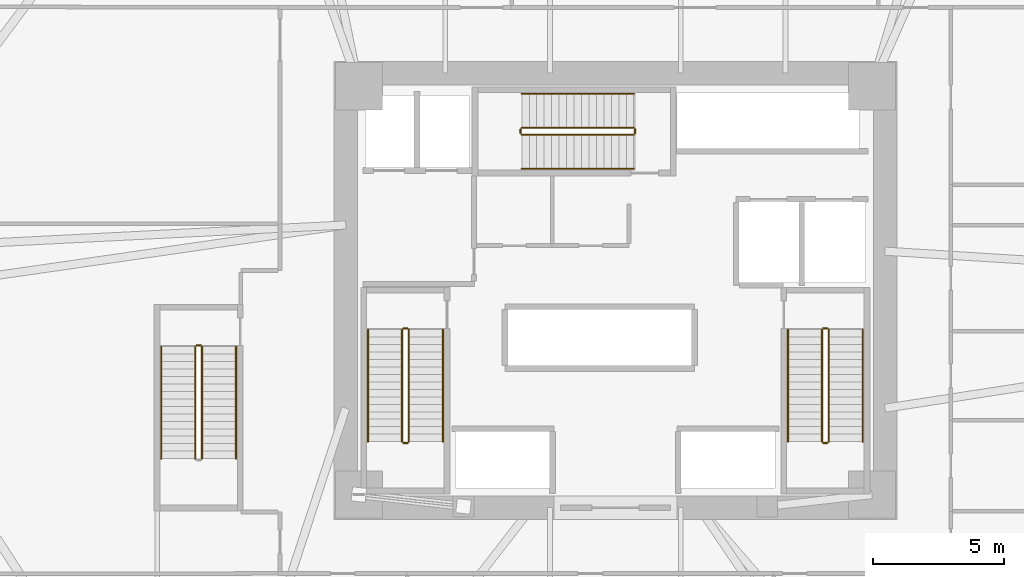
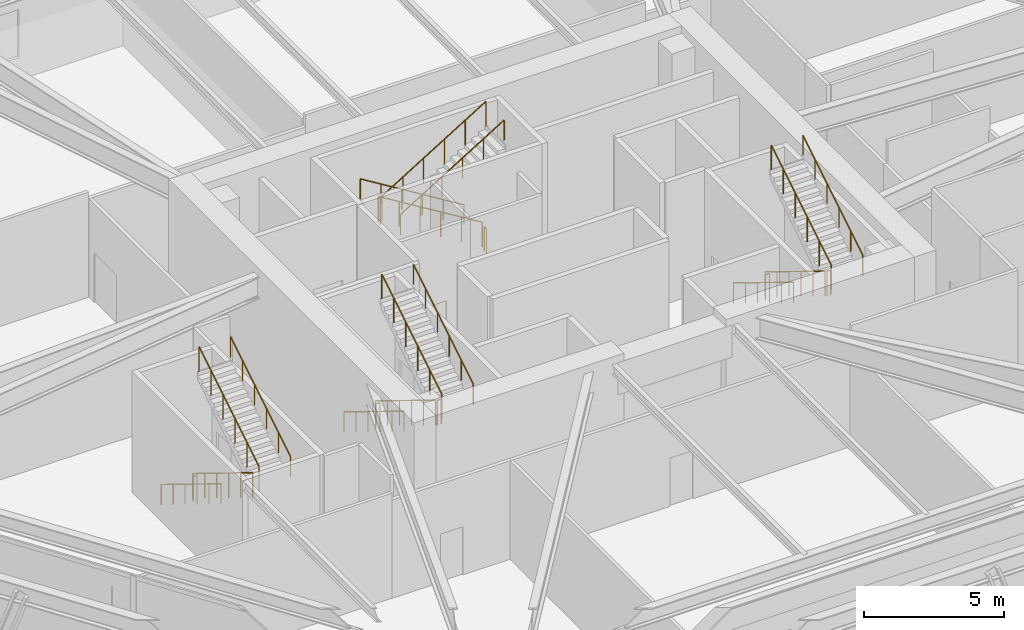
# One storey, part 18 of 19: 23 railings.
"""IFC4 building model written with IfcOpenShell, lengths in metres."""

from ifc_helpers import new_model, si_unit, direction, frame, origin, origin_2d, place, context, subcontext, project, spatial, circle, extrude, material, type_object, element, save


model = new_model("IFC4")

# Units and contexts
model_context = context("Model", 3, precision=1e-05, world=origin(), true_north=direction((0.0, 1.0)))
body_context = subcontext(model_context, "Body", "Model", "MODEL_VIEW")
ifc_project = project(units=[si_unit("LENGTHUNIT", "METRE"), si_unit("AREAUNIT", "SQUARE_METRE"), si_unit("VOLUMEUNIT", "CUBIC_METRE"), si_unit("PLANEANGLEUNIT", "RADIAN"), si_unit("MASSUNIT", "GRAM", prefix="KILO")], contexts=[model_context])

# Site, building, storey
site_placement = place(None, origin())
site = spatial("IfcSite", under=ifc_project, at=site_placement, CompositionType="ELEMENT")
building_placement = place(site_placement, origin())
building = spatial("IfcBuilding", under=site, at=building_placement, Name="Durnholm Broadcast Tower", CompositionType="ELEMENT")
storey_placement = place(building_placement, frame((0.0, 0.0, 15.60009765625)))
storey = spatial("IfcBuildingStorey", under=building, at=storey_placement, Name="L03", CompositionType="ELEMENT", Elevation=15.60009765625)

# Railings
ifc_material_1 = material(Name="Painted Tubular Steel Stair Guardrail", Category="steel")
railing_type_1 = type_object("IfcRailingType", Name="RAIL-ST-GRD", PredefinedType="GUARDRAIL", material=ifc_material_1)
railing_1_placement = place(storey_placement, frame((-8.14990234375, -1.5, 0.1748046875)))
element("IfcRailing", 1, at=railing_1_placement, inside=storey, type_object=railing_type_1, Name="L03 ST-1 stair guard 1", PredefinedType="GUARDRAIL", context=body_context, shape_type="SweptSolid", body=[
    extrude(circle(Radius=0.02392578125, at=origin_2d()), frame((0.0, 0.0, 1.076171875), z_axis=(0.0, -0.852165895541, 0.523271713813), x_axis=(1.0, 0.0, 0.0)), (0.0, 0.0, 1.0), 5.0166015625),
    extrude(circle(Radius=0.02099609375, at=origin_2d()), origin(), (0.0, 0.0, 1.0), 1.052001953125),
    extrude(circle(Radius=0.02099609375, at=origin_2d()), frame((0.0, -0.85498046875, 0.52490234375)), (0.0, 0.0, 1.0), 1.052001953125),
    extrude(circle(Radius=0.02099609375, at=origin_2d()), frame((0.0, -1.7099609375, 1.050048828125)), (0.0, 0.0, 1.0), 1.052001953125),
    extrude(circle(Radius=0.02099609375, at=origin_2d()), frame((0.0, -2.56494140625, 1.574951171875)), (0.0, 0.0, 1.0), 1.052001953125),
    extrude(circle(Radius=0.02099609375, at=origin_2d()), frame((0.0, -3.419921875, 2.10009765625)), (0.0, 0.0, 1.0), 1.052001953125),
    extrude(circle(Radius=0.02099609375, at=origin_2d()), frame((0.0, -4.27490234375, 2.625)), (0.0, 0.0, 1.0), 1.052001953125),
])
railing_2_placement = place(storey_placement, frame((-8.10009765625, -5.824951171875, 2.7998046875)))
element("IfcRailing", 2, at=railing_2_placement, inside=storey, type_object=railing_type_1, Name="L03 ST-1 stair guard 2", PredefinedType="GUARDRAIL", context=body_context, shape_type="SweptSolid", body=[
    extrude(circle(Radius=0.02392578125, at=origin_2d()), frame((0.0, 0.0, 1.076171875), z_axis=(1.0, 0.0, 0.0), x_axis=(0.0, 1.0, 0.0)), (0.0, 0.0, 1.0), 0.16015625),
    extrude(circle(Radius=0.02099609375, at=origin_2d()), origin(), (0.0, 0.0, 1.0), 1.052001953125),
    extrude(circle(Radius=0.02099609375, at=origin_2d()), frame((0.16015625, 0.0, 0.0)), (0.0, 0.0, 1.0), 1.052001953125),
])
railing_3_placement = place(storey_placement, frame((-7.889892578125, -5.77490234375, 2.974853515625)))
element("IfcRailing", 3, at=railing_3_placement, inside=storey, type_object=railing_type_1, Name="L03 ST-1 stair guard 3", PredefinedType="GUARDRAIL", context=body_context, shape_type="SweptSolid", body=[
    extrude(circle(Radius=0.02392578125, at=origin_2d()), frame((0.0, 0.0, 1.076171875), z_axis=(0.0, 0.852165895541, 0.523271713813), x_axis=(-1.0, 0.0, 0.0)), (0.0, 0.0, 1.0), 5.0166015625),
    extrude(circle(Radius=0.02099609375, at=origin_2d()), origin(), (0.0, 0.0, 1.0), 1.052001953125),
    extrude(circle(Radius=0.02099609375, at=origin_2d()), frame((0.0, 0.85498046875, 0.52490234375)), (0.0, 0.0, 1.0), 1.052001953125),
    extrude(circle(Radius=0.02099609375, at=origin_2d()), frame((0.0, 1.7099609375, 1.050048828125)), (0.0, 0.0, 1.0), 1.052001953125),
    extrude(circle(Radius=0.02099609375, at=origin_2d()), frame((0.0, 2.56494140625, 1.574951171875)), (0.0, 0.0, 1.0), 1.052001953125),
    extrude(circle(Radius=0.02099609375, at=origin_2d()), frame((0.0, 3.419921875, 2.10009765625)), (0.0, 0.0, 1.0), 1.052001953125),
    extrude(circle(Radius=0.02099609375, at=origin_2d()), frame((0.0, 4.27490234375, 2.625)), (0.0, 0.0, 1.0), 1.052001953125),
])
railing_4_placement = place(storey_placement, frame((-8.10009765625, -1.449951171875, 0.0)))
element("IfcRailing", 4, at=railing_4_placement, inside=storey, type_object=railing_type_1, Name="L03 ST-1 stair guard 4", PredefinedType="GUARDRAIL", context=body_context, shape_type="SweptSolid", body=[
    extrude(circle(Radius=0.02392578125, at=origin_2d()), frame((0.0, 0.0, 1.076171875), z_axis=(1.0, 0.0, 0.0), x_axis=(0.0, 1.0, 0.0)), (0.0, 0.0, 1.0), 0.16015625),
    extrude(circle(Radius=0.02099609375, at=origin_2d()), origin(), (0.0, 0.0, 1.0), 1.052001953125),
    extrude(circle(Radius=0.02099609375, at=origin_2d()), frame((0.16015625, 0.0, 0.0)), (0.0, 0.0, 1.0), 1.052001953125),
])
railing_5_placement = place(storey_placement, frame((7.889892578125, -1.5, 0.1748046875)))
element("IfcRailing", 5, at=railing_5_placement, inside=storey, type_object=railing_type_1, Name="L03 ST-2 stair guard 1", PredefinedType="GUARDRAIL", context=body_context, shape_type="SweptSolid", body=[
    extrude(circle(Radius=0.02392578125, at=origin_2d()), frame((0.0, 0.0, 1.076171875), z_axis=(0.0, -0.852165895541, 0.523271713813), x_axis=(1.0, 0.0, 0.0)), (0.0, 0.0, 1.0), 5.0166015625),
    extrude(circle(Radius=0.02099609375, at=origin_2d()), origin(), (0.0, 0.0, 1.0), 1.052001953125),
    extrude(circle(Radius=0.02099609375, at=origin_2d()), frame((0.0, -0.85498046875, 0.52490234375)), (0.0, 0.0, 1.0), 1.052001953125),
    extrude(circle(Radius=0.02099609375, at=origin_2d()), frame((0.0, -1.7099609375, 1.050048828125)), (0.0, 0.0, 1.0), 1.052001953125),
    extrude(circle(Radius=0.02099609375, at=origin_2d()), frame((0.0, -2.56494140625, 1.574951171875)), (0.0, 0.0, 1.0), 1.052001953125),
    extrude(circle(Radius=0.02099609375, at=origin_2d()), frame((0.0, -3.419921875, 2.10009765625)), (0.0, 0.0, 1.0), 1.052001953125),
    extrude(circle(Radius=0.02099609375, at=origin_2d()), frame((0.0, -4.27490234375, 2.625)), (0.0, 0.0, 1.0), 1.052001953125),
])
railing_6_placement = place(storey_placement, frame((7.93994140625, -5.824951171875, 2.7998046875)))
element("IfcRailing", 6, at=railing_6_placement, inside=storey, type_object=railing_type_1, Name="L03 ST-2 stair guard 2", PredefinedType="GUARDRAIL", context=body_context, shape_type="SweptSolid", body=[
    extrude(circle(Radius=0.02392578125, at=origin_2d()), frame((0.0, 0.0, 1.076171875), z_axis=(1.0, 0.0, 0.0), x_axis=(0.0, 1.0, 0.0)), (0.0, 0.0, 1.0), 0.16015625),
    extrude(circle(Radius=0.02099609375, at=origin_2d()), origin(), (0.0, 0.0, 1.0), 1.052001953125),
    extrude(circle(Radius=0.02099609375, at=origin_2d()), frame((0.16015625, 0.0, 0.0)), (0.0, 0.0, 1.0), 1.052001953125),
])
railing_7_placement = place(storey_placement, frame((8.14990234375, -5.77490234375, 2.974853515625)))
element("IfcRailing", 7, at=railing_7_placement, inside=storey, type_object=railing_type_1, Name="L03 ST-2 stair guard 3", PredefinedType="GUARDRAIL", context=body_context, shape_type="SweptSolid", body=[
    extrude(circle(Radius=0.02392578125, at=origin_2d()), frame((0.0, 0.0, 1.076171875), z_axis=(0.0, 0.852165895541, 0.523271713813), x_axis=(-1.0, 0.0, 0.0)), (0.0, 0.0, 1.0), 5.0166015625),
    extrude(circle(Radius=0.02099609375, at=origin_2d()), origin(), (0.0, 0.0, 1.0), 1.052001953125),
    extrude(circle(Radius=0.02099609375, at=origin_2d()), frame((0.0, 0.85498046875, 0.52490234375)), (0.0, 0.0, 1.0), 1.052001953125),
    extrude(circle(Radius=0.02099609375, at=origin_2d()), frame((0.0, 1.7099609375, 1.050048828125)), (0.0, 0.0, 1.0), 1.052001953125),
    extrude(circle(Radius=0.02099609375, at=origin_2d()), frame((0.0, 2.56494140625, 1.574951171875)), (0.0, 0.0, 1.0), 1.052001953125),
    extrude(circle(Radius=0.02099609375, at=origin_2d()), frame((0.0, 3.419921875, 2.10009765625)), (0.0, 0.0, 1.0), 1.052001953125),
    extrude(circle(Radius=0.02099609375, at=origin_2d()), frame((0.0, 4.27490234375, 2.625)), (0.0, 0.0, 1.0), 1.052001953125),
])
railing_8_placement = place(storey_placement, frame((7.93994140625, -1.449951171875, 0.0)))
element("IfcRailing", 8, at=railing_8_placement, inside=storey, type_object=railing_type_1, Name="L03 ST-2 stair guard 4", PredefinedType="GUARDRAIL", context=body_context, shape_type="SweptSolid", body=[
    extrude(circle(Radius=0.02392578125, at=origin_2d()), frame((0.0, 0.0, 1.076171875), z_axis=(1.0, 0.0, 0.0), x_axis=(0.0, 1.0, 0.0)), (0.0, 0.0, 1.0), 0.16015625),
    extrude(circle(Radius=0.02099609375, at=origin_2d()), origin(), (0.0, 0.0, 1.0), 1.052001953125),
    extrude(circle(Radius=0.02099609375, at=origin_2d()), frame((0.16015625, 0.0, 0.0)), (0.0, 0.0, 1.0), 1.052001953125),
])
railing_9_placement = place(storey_placement, frame((0.699951171875, 6.2099609375, 0.1748046875)))
element("IfcRailing", 9, at=railing_9_placement, inside=storey, type_object=railing_type_1, Name="L03 ST-3 stair guard 1", PredefinedType="GUARDRAIL", context=body_context, shape_type="SweptSolid", body=[
    extrude(circle(Radius=0.02392578125, at=origin_2d()), frame((0.0, 0.0, 1.076171875), z_axis=(-0.852165895541, 0.0, 0.523271713813), x_axis=(0.0, -1.0, 0.0)), (0.0, 0.0, 1.0), 5.0166015625),
    extrude(circle(Radius=0.02099609375, at=origin_2d()), origin(), (0.0, 0.0, 1.0), 1.052001953125),
    extrude(circle(Radius=0.02099609375, at=origin_2d()), frame((-0.85498046875, 0.0, 0.52490234375)), (0.0, 0.0, 1.0), 1.052001953125),
    extrude(circle(Radius=0.02099609375, at=origin_2d()), frame((-1.7099609375, 0.0, 1.050048828125)), (0.0, 0.0, 1.0), 1.052001953125),
    extrude(circle(Radius=0.02099609375, at=origin_2d()), frame((-2.56494140625, 0.0, 1.574951171875)), (0.0, 0.0, 1.0), 1.052001953125),
    extrude(circle(Radius=0.02099609375, at=origin_2d()), frame((-3.419921875, 0.0, 2.10009765625)), (0.0, 0.0, 1.0), 1.052001953125),
    extrude(circle(Radius=0.02099609375, at=origin_2d()), frame((-4.27490234375, 0.0, 2.625)), (0.0, 0.0, 1.0), 1.052001953125),
])
railing_10_placement = place(storey_placement, frame((-3.625, 6.159912109375, 2.7998046875)))
element("IfcRailing", 10, at=railing_10_placement, inside=storey, type_object=railing_type_1, Name="L03 ST-3 stair guard 2", PredefinedType="GUARDRAIL", context=body_context, shape_type="SweptSolid", body=[
    extrude(circle(Radius=0.02392578125, at=origin_2d()), frame((0.0, 0.0, 1.076171875), z_axis=(0.0, -1.0, 0.0), x_axis=(1.0, 0.0, 0.0)), (0.0, 0.0, 1.0), 0.159912109375),
    extrude(circle(Radius=0.02099609375, at=origin_2d()), origin(), (0.0, 0.0, 1.0), 1.052001953125),
    extrude(circle(Radius=0.02099609375, at=origin_2d()), frame((0.0, -0.159912109375, 0.0)), (0.0, 0.0, 1.0), 1.052001953125),
])
railing_11_placement = place(storey_placement, frame((-3.574951171875, 5.949951171875, 2.974853515625)))
element("IfcRailing", 11, at=railing_11_placement, inside=storey, type_object=railing_type_1, Name="L03 ST-3 stair guard 3", PredefinedType="GUARDRAIL", context=body_context, shape_type="SweptSolid", body=[
    extrude(circle(Radius=0.02392578125, at=origin_2d()), frame((0.0, 0.0, 1.076171875), z_axis=(0.852165895541, 0.0, 0.523271713813), x_axis=(0.0, 1.0, 0.0)), (0.0, 0.0, 1.0), 5.0166015625),
    extrude(circle(Radius=0.02099609375, at=origin_2d()), origin(), (0.0, 0.0, 1.0), 1.052001953125),
    extrude(circle(Radius=0.02099609375, at=origin_2d()), frame((0.85498046875, 0.0, 0.52490234375)), (0.0, 0.0, 1.0), 1.052001953125),
    extrude(circle(Radius=0.02099609375, at=origin_2d()), frame((1.7099609375, 0.0, 1.050048828125)), (0.0, 0.0, 1.0), 1.052001953125),
    extrude(circle(Radius=0.02099609375, at=origin_2d()), frame((2.56494140625, 0.0, 1.574951171875)), (0.0, 0.0, 1.0), 1.052001953125),
    extrude(circle(Radius=0.02099609375, at=origin_2d()), frame((3.419921875, 0.0, 2.10009765625)), (0.0, 0.0, 1.0), 1.052001953125),
    extrude(circle(Radius=0.02099609375, at=origin_2d()), frame((4.27490234375, 0.0, 2.625)), (0.0, 0.0, 1.0), 1.052001953125),
])
railing_12_placement = place(storey_placement, frame((0.75, 6.159912109375, 0.0)))
element("IfcRailing", 12, at=railing_12_placement, inside=storey, type_object=railing_type_1, Name="L03 ST-3 stair guard 4", PredefinedType="GUARDRAIL", context=body_context, shape_type="SweptSolid", body=[
    extrude(circle(Radius=0.02392578125, at=origin_2d()), frame((0.0, 0.0, 1.076171875), z_axis=(0.0, -1.0, 0.0), x_axis=(1.0, 0.0, 0.0)), (0.0, 0.0, 1.0), 0.159912109375),
    extrude(circle(Radius=0.02099609375, at=origin_2d()), origin(), (0.0, 0.0, 1.0), 1.052001953125),
    extrude(circle(Radius=0.02099609375, at=origin_2d()), frame((0.0, -0.159912109375, 0.0)), (0.0, 0.0, 1.0), 1.052001953125),
])
railing_13_placement = place(storey_placement, frame((-16.050048828125, -2.14990234375, 0.1748046875)))
element("IfcRailing", 13, at=railing_13_placement, inside=storey, type_object=railing_type_1, Name="L03 ST-4 stair guard 1", PredefinedType="GUARDRAIL", context=body_context, shape_type="SweptSolid", body=[
    extrude(circle(Radius=0.02392578125, at=origin_2d()), frame((0.0, 0.0, 1.076171875), z_axis=(0.0, -0.852179220489, 0.52325001306), x_axis=(1.0, 0.0, 0.0)), (0.0, 0.0, 1.0), 5.0166015625),
    extrude(circle(Radius=0.02099609375, at=origin_2d()), origin(), (0.0, 0.0, 1.0), 1.052001953125),
    extrude(circle(Radius=0.02099609375, at=origin_2d()), frame((0.0, -0.85498046875, 0.52490234375)), (0.0, 0.0, 1.0), 1.052001953125),
    extrude(circle(Radius=0.02099609375, at=origin_2d()), frame((0.0, -1.7099609375, 1.050048828125)), (0.0, 0.0, 1.0), 1.052001953125),
    extrude(circle(Radius=0.02099609375, at=origin_2d()), frame((0.0, -2.565185546875, 1.574951171875)), (0.0, 0.0, 1.0), 1.052001953125),
    extrude(circle(Radius=0.02099609375, at=origin_2d()), frame((0.0, -3.420166015625, 2.10009765625)), (0.0, 0.0, 1.0), 1.052001953125),
    extrude(circle(Radius=0.02099609375, at=origin_2d()), frame((0.0, -4.275146484375, 2.625)), (0.0, 0.0, 1.0), 1.052001953125),
])
railing_14_placement = place(storey_placement, frame((-15.7900390625, -6.425048828125, 2.974853515625)))
element("IfcRailing", 14, at=railing_14_placement, inside=storey, type_object=railing_type_1, Name="L03 ST-4 stair guard 3", PredefinedType="GUARDRAIL", context=body_context, shape_type="SweptSolid", body=[
    extrude(circle(Radius=0.02392578125, at=origin_2d()), frame((0.0, 0.0, 1.076171875), z_axis=(0.0, 0.852179220489, 0.52325001306), x_axis=(-1.0, 0.0, 0.0)), (0.0, 0.0, 1.0), 5.0166015625),
    extrude(circle(Radius=0.02099609375, at=origin_2d()), origin(), (0.0, 0.0, 1.0), 1.052001953125),
    extrude(circle(Radius=0.02099609375, at=origin_2d()), frame((0.0, 0.85498046875, 0.52490234375)), (0.0, 0.0, 1.0), 1.052001953125),
    extrude(circle(Radius=0.02099609375, at=origin_2d()), frame((0.0, 1.7099609375, 1.050048828125)), (0.0, 0.0, 1.0), 1.052001953125),
    extrude(circle(Radius=0.02099609375, at=origin_2d()), frame((0.0, 2.565185546875, 1.574951171875)), (0.0, 0.0, 1.0), 1.052001953125),
    extrude(circle(Radius=0.02099609375, at=origin_2d()), frame((0.0, 3.420166015625, 2.10009765625)), (0.0, 0.0, 1.0), 1.052001953125),
    extrude(circle(Radius=0.02099609375, at=origin_2d()), frame((0.0, 4.275146484375, 2.625)), (0.0, 0.0, 1.0), 1.052001953125),
])
railing_15_placement = place(storey_placement, frame((-16.0, -2.10009765625, 0.0)))
element("IfcRailing", 15, at=railing_15_placement, inside=storey, type_object=railing_type_1, Name="L03 ST-4 stair guard 4", PredefinedType="GUARDRAIL", context=body_context, shape_type="SweptSolid", body=[
    extrude(circle(Radius=0.02392578125, at=origin_2d()), frame((0.0, 0.0, 1.076171875), z_axis=(1.0, 0.0, 0.0), x_axis=(0.0, 1.0, 0.0)), (0.0, 0.0, 1.0), 0.159912109375),
    extrude(circle(Radius=0.02099609375, at=origin_2d()), origin(), (0.0, 0.0, 1.0), 1.052001953125),
    extrude(circle(Radius=0.02099609375, at=origin_2d()), frame((0.159912109375, 0.0, 0.0)), (0.0, 0.0, 1.0), 1.052001953125),
])
ifc_material_2 = material(Name="Brushed Stainless Steel Handrail", Category="steel")
railing_type_2 = type_object("IfcRailingType", Name="RAIL-ST-HND", PredefinedType="HANDRAIL", material=ifc_material_2)
railing_16_placement = place(storey_placement, frame((-9.449951171875, -1.5, 0.349853515625)))
element("IfcRailing", 16, at=railing_16_placement, inside=storey, type_object=railing_type_2, Name="L03 ST-1 stair handrail 1", PredefinedType="HANDRAIL", context=body_context, shape_type="SweptSolid", body=[
    extrude(circle(Radius=0.02392578125, at=origin_2d()), frame((0.0, 0.0, 0.8759765625), z_axis=(0.0, -0.852165895541, 0.523271713813), x_axis=(1.0, 0.0, 0.0)), (0.0, 0.0, 1.0), 5.0166015625),
    extrude(circle(Radius=0.02099609375, at=origin_2d()), origin(), (0.0, 0.0, 1.0), 0.851806640625),
    extrude(circle(Radius=0.02099609375, at=origin_2d()), frame((0.0, -0.85498046875, 0.52490234375)), (0.0, 0.0, 1.0), 0.851806640625),
    extrude(circle(Radius=0.02099609375, at=origin_2d()), frame((0.0, -1.7099609375, 1.050048828125)), (0.0, 0.0, 1.0), 0.851806640625),
    extrude(circle(Radius=0.02099609375, at=origin_2d()), frame((0.0, -2.56494140625, 1.574951171875)), (0.0, 0.0, 1.0), 0.851806640625),
    extrude(circle(Radius=0.02099609375, at=origin_2d()), frame((0.0, -3.419921875, 2.10009765625)), (0.0, 0.0, 1.0), 0.851806640625),
    extrude(circle(Radius=0.02099609375, at=origin_2d()), frame((0.0, -4.27490234375, 2.625)), (0.0, 0.0, 1.0), 0.851806640625),
])
railing_17_placement = place(storey_placement, frame((-6.590087890625, -5.77490234375, 3.14990234375)))
element("IfcRailing", 17, at=railing_17_placement, inside=storey, type_object=railing_type_2, Name="L03 ST-1 stair handrail 2", PredefinedType="HANDRAIL", context=body_context, shape_type="SweptSolid", body=[
    extrude(circle(Radius=0.02392578125, at=origin_2d()), frame((0.0, 0.0, 0.8759765625), z_axis=(0.0, 0.852165895541, 0.523271713813), x_axis=(-1.0, 0.0, 0.0)), (0.0, 0.0, 1.0), 5.0166015625),
    extrude(circle(Radius=0.02099609375, at=origin_2d()), origin(), (0.0, 0.0, 1.0), 0.851806640625),
    extrude(circle(Radius=0.02099609375, at=origin_2d()), frame((0.0, 0.85498046875, 0.52490234375)), (0.0, 0.0, 1.0), 0.851806640625),
    extrude(circle(Radius=0.02099609375, at=origin_2d()), frame((0.0, 1.7099609375, 1.050048828125)), (0.0, 0.0, 1.0), 0.851806640625),
    extrude(circle(Radius=0.02099609375, at=origin_2d()), frame((0.0, 2.56494140625, 1.574951171875)), (0.0, 0.0, 1.0), 0.851806640625),
    extrude(circle(Radius=0.02099609375, at=origin_2d()), frame((0.0, 3.419921875, 2.10009765625)), (0.0, 0.0, 1.0), 0.851806640625),
    extrude(circle(Radius=0.02099609375, at=origin_2d()), frame((0.0, 4.27490234375, 2.625)), (0.0, 0.0, 1.0), 0.851806640625),
])
railing_18_placement = place(storey_placement, frame((6.590087890625, -1.5, 0.349853515625)))
element("IfcRailing", 18, at=railing_18_placement, inside=storey, type_object=railing_type_2, Name="L03 ST-2 stair handrail 1", PredefinedType="HANDRAIL", context=body_context, shape_type="SweptSolid", body=[
    extrude(circle(Radius=0.02392578125, at=origin_2d()), frame((0.0, 0.0, 0.8759765625), z_axis=(0.0, -0.852165895541, 0.523271713813), x_axis=(1.0, 0.0, 0.0)), (0.0, 0.0, 1.0), 5.0166015625),
    extrude(circle(Radius=0.02099609375, at=origin_2d()), origin(), (0.0, 0.0, 1.0), 0.851806640625),
    extrude(circle(Radius=0.02099609375, at=origin_2d()), frame((0.0, -0.85498046875, 0.52490234375)), (0.0, 0.0, 1.0), 0.851806640625),
    extrude(circle(Radius=0.02099609375, at=origin_2d()), frame((0.0, -1.7099609375, 1.050048828125)), (0.0, 0.0, 1.0), 0.851806640625),
    extrude(circle(Radius=0.02099609375, at=origin_2d()), frame((0.0, -2.56494140625, 1.574951171875)), (0.0, 0.0, 1.0), 0.851806640625),
    extrude(circle(Radius=0.02099609375, at=origin_2d()), frame((0.0, -3.419921875, 2.10009765625)), (0.0, 0.0, 1.0), 0.851806640625),
    extrude(circle(Radius=0.02099609375, at=origin_2d()), frame((0.0, -4.27490234375, 2.625)), (0.0, 0.0, 1.0), 0.851806640625),
])
railing_19_placement = place(storey_placement, frame((9.449951171875, -5.77490234375, 3.14990234375)))
element("IfcRailing", 19, at=railing_19_placement, inside=storey, type_object=railing_type_2, Name="L03 ST-2 stair handrail 2", PredefinedType="HANDRAIL", context=body_context, shape_type="SweptSolid", body=[
    extrude(circle(Radius=0.02392578125, at=origin_2d()), frame((0.0, 0.0, 0.8759765625), z_axis=(0.0, 0.852165895541, 0.523271713813), x_axis=(-1.0, 0.0, 0.0)), (0.0, 0.0, 1.0), 5.0166015625),
    extrude(circle(Radius=0.02099609375, at=origin_2d()), origin(), (0.0, 0.0, 1.0), 0.851806640625),
    extrude(circle(Radius=0.02099609375, at=origin_2d()), frame((0.0, 0.85498046875, 0.52490234375)), (0.0, 0.0, 1.0), 0.851806640625),
    extrude(circle(Radius=0.02099609375, at=origin_2d()), frame((0.0, 1.7099609375, 1.050048828125)), (0.0, 0.0, 1.0), 0.851806640625),
    extrude(circle(Radius=0.02099609375, at=origin_2d()), frame((0.0, 2.56494140625, 1.574951171875)), (0.0, 0.0, 1.0), 0.851806640625),
    extrude(circle(Radius=0.02099609375, at=origin_2d()), frame((0.0, 3.419921875, 2.10009765625)), (0.0, 0.0, 1.0), 0.851806640625),
    extrude(circle(Radius=0.02099609375, at=origin_2d()), frame((0.0, 4.27490234375, 2.625)), (0.0, 0.0, 1.0), 0.851806640625),
])
railing_20_placement = place(storey_placement, frame((0.699951171875, 7.510009765625, 0.349853515625)))
element("IfcRailing", 20, at=railing_20_placement, inside=storey, type_object=railing_type_2, Name="L03 ST-3 stair handrail 1", PredefinedType="HANDRAIL", context=body_context, shape_type="SweptSolid", body=[
    extrude(circle(Radius=0.02392578125, at=origin_2d()), frame((0.0, 0.0, 0.8759765625), z_axis=(-0.852165895541, 0.0, 0.523271713813), x_axis=(0.0, -1.0, 0.0)), (0.0, 0.0, 1.0), 5.0166015625),
    extrude(circle(Radius=0.02099609375, at=origin_2d()), origin(), (0.0, 0.0, 1.0), 0.851806640625),
    extrude(circle(Radius=0.02099609375, at=origin_2d()), frame((-0.85498046875, 0.0, 0.52490234375)), (0.0, 0.0, 1.0), 0.851806640625),
    extrude(circle(Radius=0.02099609375, at=origin_2d()), frame((-1.7099609375, 0.0, 1.050048828125)), (0.0, 0.0, 1.0), 0.851806640625),
    extrude(circle(Radius=0.02099609375, at=origin_2d()), frame((-2.56494140625, 0.0, 1.574951171875)), (0.0, 0.0, 1.0), 0.851806640625),
    extrude(circle(Radius=0.02099609375, at=origin_2d()), frame((-3.419921875, 0.0, 2.10009765625)), (0.0, 0.0, 1.0), 0.851806640625),
    extrude(circle(Radius=0.02099609375, at=origin_2d()), frame((-4.27490234375, 0.0, 2.625)), (0.0, 0.0, 1.0), 0.851806640625),
])
railing_21_placement = place(storey_placement, frame((-3.574951171875, 4.64990234375, 3.14990234375)))
element("IfcRailing", 21, at=railing_21_placement, inside=storey, type_object=railing_type_2, Name="L03 ST-3 stair handrail 2", PredefinedType="HANDRAIL", context=body_context, shape_type="SweptSolid", body=[
    extrude(circle(Radius=0.02392578125, at=origin_2d()), frame((0.0, 0.0, 0.8759765625), z_axis=(0.852165895541, 0.0, 0.523271713813), x_axis=(0.0, 1.0, 0.0)), (0.0, 0.0, 1.0), 5.0166015625),
    extrude(circle(Radius=0.02099609375, at=origin_2d()), origin(), (0.0, 0.0, 1.0), 0.851806640625),
    extrude(circle(Radius=0.02099609375, at=origin_2d()), frame((0.85498046875, 0.0, 0.52490234375)), (0.0, 0.0, 1.0), 0.851806640625),
    extrude(circle(Radius=0.02099609375, at=origin_2d()), frame((1.7099609375, 0.0, 1.050048828125)), (0.0, 0.0, 1.0), 0.851806640625),
    extrude(circle(Radius=0.02099609375, at=origin_2d()), frame((2.56494140625, 0.0, 1.574951171875)), (0.0, 0.0, 1.0), 0.851806640625),
    extrude(circle(Radius=0.02099609375, at=origin_2d()), frame((3.419921875, 0.0, 2.10009765625)), (0.0, 0.0, 1.0), 0.851806640625),
    extrude(circle(Radius=0.02099609375, at=origin_2d()), frame((4.27490234375, 0.0, 2.625)), (0.0, 0.0, 1.0), 0.851806640625),
])
railing_22_placement = place(storey_placement, frame((-17.35009765625, -2.14990234375, 0.349853515625)))
element("IfcRailing", 22, at=railing_22_placement, inside=storey, type_object=railing_type_2, Name="L03 ST-4 stair handrail 1", PredefinedType="HANDRAIL", context=body_context, shape_type="SweptSolid", body=[
    extrude(circle(Radius=0.02392578125, at=origin_2d()), frame((0.0, 0.0, 0.8759765625), z_axis=(0.0, -0.852179220489, 0.52325001306), x_axis=(1.0, 0.0, 0.0)), (0.0, 0.0, 1.0), 5.0166015625),
    extrude(circle(Radius=0.02099609375, at=origin_2d()), origin(), (0.0, 0.0, 1.0), 0.851806640625),
    extrude(circle(Radius=0.02099609375, at=origin_2d()), frame((0.0, -0.85498046875, 0.52490234375)), (0.0, 0.0, 1.0), 0.851806640625),
    extrude(circle(Radius=0.02099609375, at=origin_2d()), frame((0.0, -1.7099609375, 1.050048828125)), (0.0, 0.0, 1.0), 0.851806640625),
    extrude(circle(Radius=0.02099609375, at=origin_2d()), frame((0.0, -2.565185546875, 1.574951171875)), (0.0, 0.0, 1.0), 0.851806640625),
    extrude(circle(Radius=0.02099609375, at=origin_2d()), frame((0.0, -3.420166015625, 2.10009765625)), (0.0, 0.0, 1.0), 0.851806640625),
    extrude(circle(Radius=0.02099609375, at=origin_2d()), frame((0.0, -4.275146484375, 2.625)), (0.0, 0.0, 1.0), 0.851806640625),
])
railing_23_placement = place(storey_placement, frame((-14.489990234375, -6.425048828125, 3.14990234375)))
element("IfcRailing", 23, at=railing_23_placement, inside=storey, type_object=railing_type_2, Name="L03 ST-4 stair handrail 2", PredefinedType="HANDRAIL", context=body_context, shape_type="SweptSolid", body=[
    extrude(circle(Radius=0.02392578125, at=origin_2d()), frame((0.0, 0.0, 0.8759765625), z_axis=(0.0, 0.852179220489, 0.52325001306), x_axis=(-1.0, 0.0, 0.0)), (0.0, 0.0, 1.0), 5.0166015625),
    extrude(circle(Radius=0.02099609375, at=origin_2d()), origin(), (0.0, 0.0, 1.0), 0.851806640625),
    extrude(circle(Radius=0.02099609375, at=origin_2d()), frame((0.0, 0.85498046875, 0.52490234375)), (0.0, 0.0, 1.0), 0.851806640625),
    extrude(circle(Radius=0.02099609375, at=origin_2d()), frame((0.0, 1.7099609375, 1.050048828125)), (0.0, 0.0, 1.0), 0.851806640625),
    extrude(circle(Radius=0.02099609375, at=origin_2d()), frame((0.0, 2.565185546875, 1.574951171875)), (0.0, 0.0, 1.0), 0.851806640625),
    extrude(circle(Radius=0.02099609375, at=origin_2d()), frame((0.0, 3.420166015625, 2.10009765625)), (0.0, 0.0, 1.0), 0.851806640625),
    extrude(circle(Radius=0.02099609375, at=origin_2d()), frame((0.0, 4.275146484375, 2.625)), (0.0, 0.0, 1.0), 0.851806640625),
])

save(model, "model.ifc")
